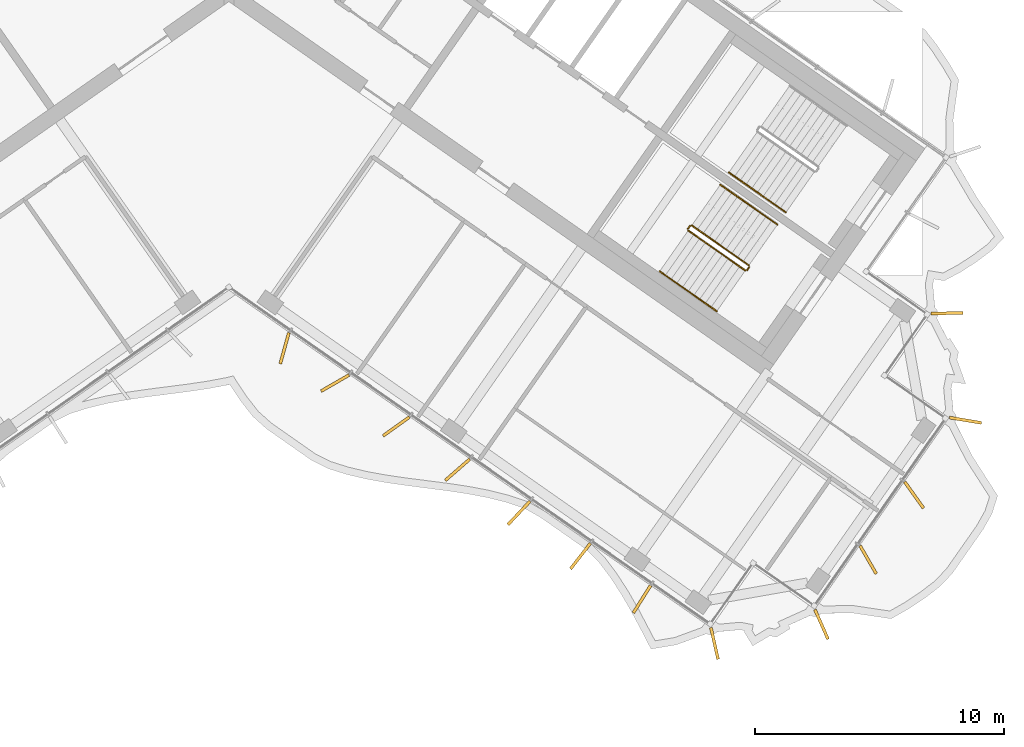
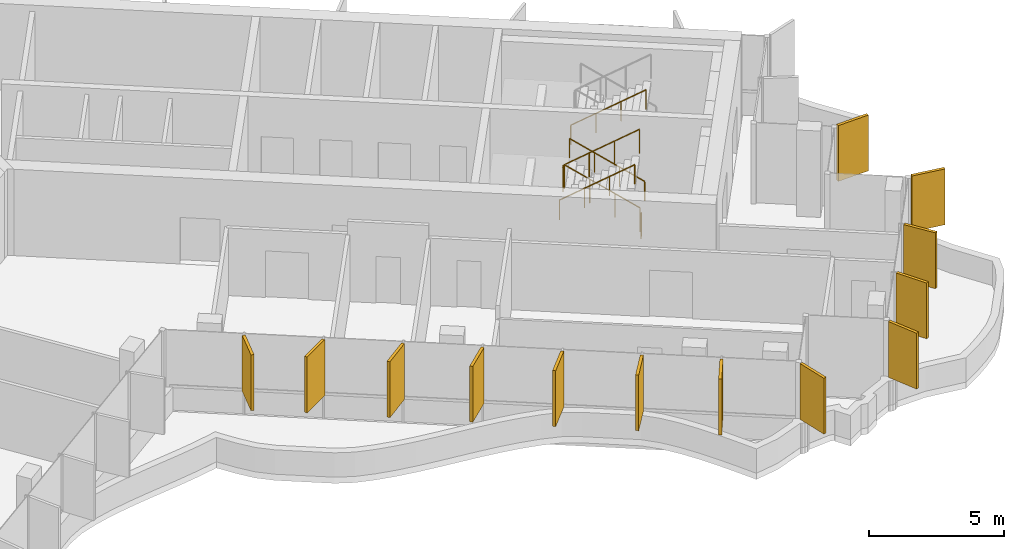
# One storey, part 15 of 17: 13 shading devices, 7 railings.
"""IFC4 building model written with IfcOpenShell, lengths in metres."""

from ifc_helpers import new_model, si_unit, direction, frame, origin, origin_2d, place, context, subcontext, project, spatial, rectangle, circle, extrude, material, layer, layer_set, type_object, element, save


model = new_model("IFC4")

# Units and contexts
model_context = context("Model", 3, precision=1e-05, world=origin(), true_north=direction((0.0, 1.0)))
body_context = subcontext(model_context, "Body", "Model", "MODEL_VIEW")
ifc_project = project(units=[si_unit("LENGTHUNIT", "METRE"), si_unit("AREAUNIT", "SQUARE_METRE"), si_unit("VOLUMEUNIT", "CUBIC_METRE"), si_unit("PLANEANGLEUNIT", "RADIAN"), si_unit("MASSUNIT", "GRAM", prefix="KILO")], contexts=[model_context])

# Site, building, storey
site_placement = place(None, origin())
site = spatial("IfcSite", under=ifc_project, at=site_placement, CompositionType="ELEMENT")
building_placement = place(site_placement, origin())
building = spatial("IfcBuilding", under=site, at=building_placement, Name="Tel Ilan Convention Tower", CompositionType="ELEMENT")
storey_placement = place(building_placement, frame((0.0, 0.0, 276.10009765625)))
storey = spatial("IfcBuildingStorey", under=building, at=storey_placement, Name="L65", CompositionType="ELEMENT", Elevation=276.10009765625)

# Shading devices
ifc_material_1 = material(Name="Aluminium, bronze anodised", Category="aluminium")
ifc_layer = layer(ifc_material_1, 0.1201171875)
ifc_layer_set = layer_set([ifc_layer], Name="FIN BRONZE 1300x120")
shading_device_type = type_object("IfcShadingDeviceType", Name="FIN BRONZE 1300x120", PredefinedType="USERDEFINED", material=ifc_layer_set)
for number, where, z_axis, x_axis, name in (
    (1, (2.23583984375, -15.15576171875, 1.099853515625), (0.0, 0.0, 1.0), (-0.268172612768, -0.963370878614, 0.0), "FIN"),
    (2, (4.265625, -16.554443359375, 1.099853515625), (0.0, 0.0, 1.0), (-0.866025403784, -0.5, 0.0), "FIN"),
    (3, (6.72412109375, -18.298583984375, 1.099853515625), (0.0, 0.0, 1.0), (-0.813552070258, -0.581492071294, 0.0), "FIN"),
    (4, (9.18798828125, -20.038818359375, 1.099853515625), (0.0, 0.0, 1.0), (-0.753435896329, -0.657521368568, 0.0), "FIN"),
    (5, (11.65625, -21.775146484375, 1.099853515625), (0.0, 0.0, 1.0), (-0.686241637865, -0.727373641577, 0.0), "FIN"),
    (6, (14.12890625, -23.5068359375, 1.099853515625), (0.0, 0.0, 1.0), (-0.612600545196, -0.790392669516, 0.0), "FIN"),
    (7, (16.601806640625, -25.23828125, 1.099853515625), (0.0, 0.0, 1.0), (-0.533204432798, -0.845986425922, 0.0), "FIN"),
    (8, (19.515380859375, -27.018310546875, 1.099853515625), (0.0, 0.0, 1.0), (0.221170268371, -0.975235208752, 0.0), "FIN"),
    (9, (23.81494140625, -26.253173828125, 1.099853515625), (0.0, 0.0, 1.0), (0.404964282034, -0.914332505315, 0.0), "FIN"),
    (10, (25.69189453125, -23.65576171875, 1.099853515625), (0.0, 0.0, 1.0), (0.5, -0.866025403784, 0.0), "FIN"),
    (11, (27.53759765625, -21.0517578125, 1.099853515625), (0.0, 0.0, 1.0), (0.581492071294, -0.813552070258, 0.0), "FIN"),
    (12, (29.601318359375, -18.048583984375, 1.099853515625), (0.0, 0.0, 1.0), (0.986445172547, -0.16409119891, 0.0), "FIN"),
    (13, (28.862060546875, -13.74658203125, 1.099853515625), (0.0, 0.0, 1.0), (0.999576950082, 0.029084718749, 0.0), "FIN"),
):
    element("IfcShadingDevice", number, at=place(storey_placement, frame(where, z_axis=z_axis, x_axis=x_axis)), inside=storey, type_object=shading_device_type, Name=name, ObjectType="FIN", PredefinedType="USERDEFINED", context=body_context, shape_type="SweptSolid", body=[
        extrude(rectangle(XDim=1.300048828125, YDim=0.1201171875, at=origin_2d()), origin(), (0.0, 0.0, 1.0), 2.52001953125),
    ])

# Railings
ifc_material_2 = material(Name="Stainless Steel Grade 316", Category="steel")
railing_type_1 = type_object("IfcRailingType", Name="Stainless Steel Stair Guard 1100 mm", PredefinedType="GUARDRAIL", material=ifc_material_2)
railing_1_placement = place(storey_placement, frame((20.89697265625, -11.824462890625, 0.17724609375)))
element("IfcRailing", 14, at=railing_1_placement, inside=storey, type_object=railing_type_1, Name="L65 S4 stair guard 1", PredefinedType="GUARDRAIL", context=body_context, shape_type="SweptSolid", body=[
    extrude(circle(Radius=0.02392578125, at=origin_2d()), frame((0.0, 0.0, 1.076171875), z_axis=(-0.692123088272, 0.484596665743, 0.534912798717), x_axis=(-0.573550118428, -0.819170471667, 0.0)), (0.0, 0.0, 1.0), 3.31396484375),
    extrude(circle(Radius=0.02099609375, at=origin_2d()), origin(), (0.0, 0.0, 1.0), 1.052001953125),
    extrude(circle(Radius=0.02099609375, at=origin_2d()), frame((-0.7646484375, 0.535400390625, 0.5908203125)), (0.0, 0.0, 1.0), 1.052001953125),
    extrude(circle(Radius=0.02099609375, at=origin_2d()), frame((-1.529052734375, 1.070556640625, 1.181884765625)), (0.0, 0.0, 1.0), 1.052001953125),
    extrude(circle(Radius=0.02099609375, at=origin_2d()), frame((-2.293701171875, 1.60595703125, 1.772705078125)), (0.0, 0.0, 1.0), 1.052001953125),
])
railing_2_placement = place(storey_placement, frame((18.53369140625, -10.230712890625, 1.949951171875)))
element("IfcRailing", 15, at=railing_2_placement, inside=storey, type_object=railing_type_1, Name="L65 S4 stair guard 2", PredefinedType="GUARDRAIL", context=body_context, shape_type="SweptSolid", body=[
    extrude(circle(Radius=0.02392578125, at=origin_2d()), frame((0.0, 0.0, 1.076171875), z_axis=(-0.573353020881, -0.819308436089, 0.0), x_axis=(0.819308436089, -0.573353020881, 0.0)), (0.0, 0.0, 1.0), 0.14990234375),
    extrude(circle(Radius=0.02099609375, at=origin_2d()), origin(), (0.0, 0.0, 1.0), 1.052001953125),
    extrude(circle(Radius=0.02099609375, at=origin_2d()), frame((-0.0859375, -0.122802734375, 0.0)), (0.0, 0.0, 1.0), 1.052001953125),
])
railing_3_placement = place(storey_placement, frame((18.4599609375, -10.423095703125, 2.127197265625)))
element("IfcRailing", 16, at=railing_3_placement, inside=storey, type_object=railing_type_1, Name="L65 S4 stair guard 3", PredefinedType="GUARDRAIL", context=body_context, shape_type="SweptSolid", body=[
    extrude(circle(Radius=0.02392578125, at=origin_2d()), frame((0.0, 0.0, 1.076171875), z_axis=(0.692098378994, -0.484653031975, 0.534893701956), x_axis=(0.573608623498, 0.819129505664, 0.0)), (0.0, 0.0, 1.0), 3.314208984375),
    extrude(circle(Radius=0.02099609375, at=origin_2d()), origin(), (0.0, 0.0, 1.0), 1.052001953125),
    extrude(circle(Radius=0.02099609375, at=origin_2d()), frame((0.7646484375, -0.535400390625, 0.5908203125)), (0.0, 0.0, 1.0), 1.052001953125),
    extrude(circle(Radius=0.02099609375, at=origin_2d()), frame((1.529052734375, -1.07080078125, 1.181884765625)), (0.0, 0.0, 1.0), 1.052001953125),
    extrude(circle(Radius=0.02099609375, at=origin_2d()), frame((2.293701171875, -1.606201171875, 1.772705078125)), (0.0, 0.0, 1.0), 1.052001953125),
])
railing_4_placement = place(storey_placement, frame((20.9091796875, -11.89404296875, 0.0)))
element("IfcRailing", 17, at=railing_4_placement, inside=storey, type_object=railing_type_1, Name="L65 S4 stair guard 4", PredefinedType="GUARDRAIL", context=body_context, shape_type="SweptSolid", body=[
    extrude(circle(Radius=0.02392578125, at=origin_2d()), frame((0.0, 0.0, 1.076171875), z_axis=(-0.573353020881, -0.819308436089, 0.0), x_axis=(0.819308436089, -0.573353020881, 0.0)), (0.0, 0.0, 1.0), 0.14990234375),
    extrude(circle(Radius=0.02099609375, at=origin_2d()), origin(), (0.0, 0.0, 1.0), 1.052001953125),
    extrude(circle(Radius=0.02099609375, at=origin_2d()), frame((-0.0859375, -0.122802734375, 0.0)), (0.0, 0.0, 1.0), 1.052001953125),
])
ifc_material_3 = material(Name="Stainless Steel Grade 316", Category="steel")
railing_type_2 = type_object("IfcRailingType", Name="Stainless Steel Stair Handrail 900 mm", PredefinedType="HANDRAIL", material=ifc_material_3)
railing_5_placement = place(storey_placement, frame((20.0947265625, -8.088623046875, 2.127197265625)))
element("IfcRailing", 18, at=railing_5_placement, inside=storey, type_object=railing_type_2, Name="L65 S3 stair handrail 2", PredefinedType="HANDRAIL", context=body_context, shape_type="SweptSolid", body=[
    extrude(circle(Radius=0.02392578125, at=origin_2d()), frame((0.0, 0.0, 0.8759765625), z_axis=(0.692084706163, -0.484621375041, 0.534940073605), x_axis=(0.573591086599, 0.819141785879, 0.0)), (0.0, 0.0, 1.0), 3.313720703125),
    extrude(circle(Radius=0.02099609375, at=origin_2d()), origin(), (0.0, 0.0, 1.0), 0.851806640625),
    extrude(circle(Radius=0.02099609375, at=origin_2d()), frame((0.764404296875, -0.535400390625, 0.5908203125)), (0.0, 0.0, 1.0), 0.851806640625),
    extrude(circle(Radius=0.02099609375, at=origin_2d()), frame((1.529052734375, -1.070556640625, 1.181884765625)), (0.0, 0.0, 1.0), 0.851806640625),
    extrude(circle(Radius=0.02099609375, at=origin_2d()), frame((2.29345703125, -1.60595703125, 1.772705078125)), (0.0, 0.0, 1.0), 0.851806640625),
])
railing_6_placement = place(storey_placement, frame((22.044189453125, -10.18603515625, 0.17724609375)))
element("IfcRailing", 19, at=railing_6_placement, inside=storey, type_object=railing_type_2, Name="L65 S4 stair handrail 1", PredefinedType="HANDRAIL", context=body_context, shape_type="SweptSolid", body=[
    extrude(circle(Radius=0.02392578125, at=origin_2d()), frame((0.0, 0.0, 0.8759765625), z_axis=(-0.692123088272, 0.484596665743, 0.534912798717), x_axis=(-0.573550118428, -0.819170471667, 0.0)), (0.0, 0.0, 1.0), 3.31396484375),
    extrude(circle(Radius=0.02099609375, at=origin_2d()), origin(), (0.0, 0.0, 1.0), 0.851806640625),
    extrude(circle(Radius=0.02099609375, at=origin_2d()), frame((-0.7646484375, 0.535400390625, 0.5908203125)), (0.0, 0.0, 1.0), 0.851806640625),
    extrude(circle(Radius=0.02099609375, at=origin_2d()), frame((-1.529052734375, 1.070556640625, 1.181884765625)), (0.0, 0.0, 1.0), 0.851806640625),
    extrude(circle(Radius=0.02099609375, at=origin_2d()), frame((-2.293701171875, 1.60595703125, 1.772705078125)), (0.0, 0.0, 1.0), 0.851806640625),
])
railing_7_placement = place(storey_placement, frame((17.312744140625, -12.0615234375, 2.127197265625)))
element("IfcRailing", 20, at=railing_7_placement, inside=storey, type_object=railing_type_2, Name="L65 S4 stair handrail 2", PredefinedType="HANDRAIL", context=body_context, shape_type="SweptSolid", body=[
    extrude(circle(Radius=0.02392578125, at=origin_2d()), frame((0.0, 0.0, 0.8759765625), z_axis=(0.692123088272, -0.484596665743, 0.534912798717), x_axis=(0.573550118428, 0.819170471667, 0.0)), (0.0, 0.0, 1.0), 3.31396484375),
    extrude(circle(Radius=0.02099609375, at=origin_2d()), origin(), (0.0, 0.0, 1.0), 0.851806640625),
    extrude(circle(Radius=0.02099609375, at=origin_2d()), frame((0.7646484375, -0.535400390625, 0.5908203125)), (0.0, 0.0, 1.0), 0.851806640625),
    extrude(circle(Radius=0.02099609375, at=origin_2d()), frame((1.529052734375, -1.070556640625, 1.181884765625)), (0.0, 0.0, 1.0), 0.851806640625),
    extrude(circle(Radius=0.02099609375, at=origin_2d()), frame((2.293701171875, -1.60595703125, 1.772705078125)), (0.0, 0.0, 1.0), 0.851806640625),
])

save(model, "model.ifc")
